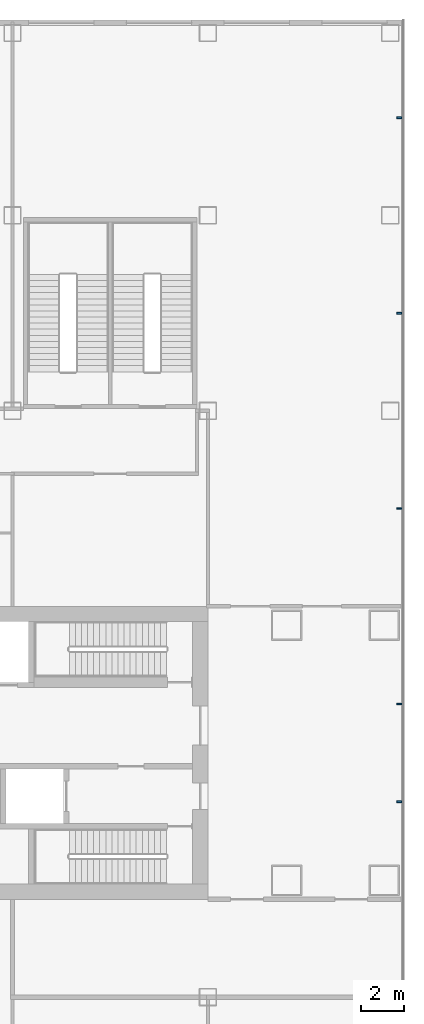
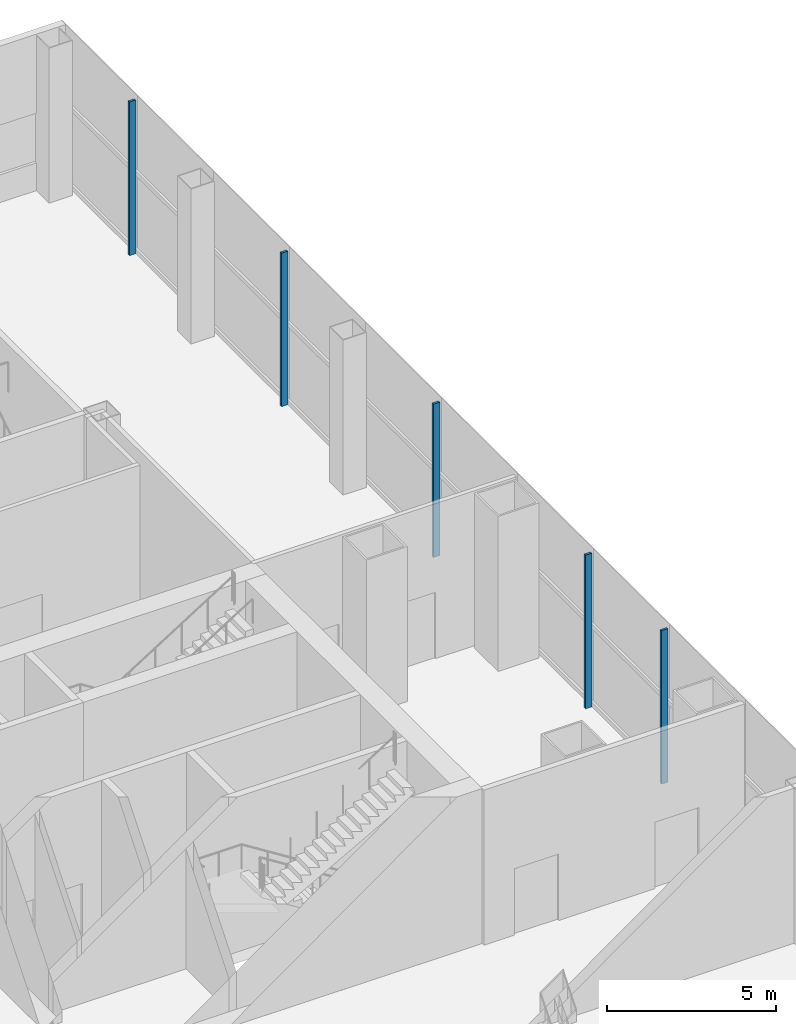
# One storey, part 15 of 33: 5 members, 1 element without a shape of its own.
"""IFC4 building model written with IfcOpenShell, lengths in metres."""

from ifc_helpers import new_model, si_unit, direction, frame, origin, origin_2d, place, context, subcontext, project, spatial, rectangle, extrude, material, layer, layer_set, material_profile, profile_set, type_object, element, aggregate, save


model = new_model("IFC4")

# Units and contexts
model_context = context("Model", 3, precision=1e-05, world=origin(), true_north=direction((0.0, 1.0)))
body_context = subcontext(model_context, "Body", "Model", "MODEL_VIEW")
ifc_project = project(units=[si_unit("LENGTHUNIT", "METRE"), si_unit("AREAUNIT", "SQUARE_METRE"), si_unit("VOLUMEUNIT", "CUBIC_METRE"), si_unit("PLANEANGLEUNIT", "RADIAN"), si_unit("MASSUNIT", "GRAM", prefix="KILO")], contexts=[model_context])

# Site, building, storey
site_placement = place(None, origin())
site = spatial("IfcSite", under=ifc_project, at=site_placement, CompositionType="ELEMENT")
building_placement = place(site_placement, origin())
building = spatial("IfcBuilding", under=site, at=building_placement, Name="Shamsa Quay Exchange Towers", CompositionType="ELEMENT")
storey_placement = place(building_placement, frame((0.0, 0.0, 6.5)))
storey = spatial("IfcBuildingStorey", under=building, at=storey_placement, Name="L01", CompositionType="ELEMENT", Elevation=6.5)

# Curtain wall, members
ifc_material = material(Name="Aluminium EN AW-6063 T6, black anodised", Category="aluminium")
ifc_layer = layer(ifc_material, 0.33203125)
ifc_layer_set = layer_set([ifc_layer], Name="CW-3 PODIUM SHOPFRONT GLAZING")
curtain_wall_type = type_object("IfcCurtainWallType", Name="CW-3 PODIUM SHOPFRONT GLAZING", PredefinedType="NOTDEFINED", material=ifc_layer_set)
curtain_wall_placement = place(storey_placement, origin())
curtain_wall = element("IfcCurtainWall", 1, at=curtain_wall_placement, inside=storey, type_object=curtain_wall_type, Name="CW3 PODIUM-L01-F00", PredefinedType="NOTDEFINED")
ifc_material_profile = material_profile(ifc_material, rectangle(XDim=0.219970703125, YDim=0.080078125, at=origin_2d()), Name="MU80x220")
ifc_profile_set = profile_set([ifc_material_profile], Name="Aluminium EN AW-6063 T6, black anodised")
member_type = type_object("IfcMemberType", Name="CW3 MULLION 80x220", PredefinedType="MULLION", material=ifc_profile_set)
member_1_placement = place(storey_placement, frame((62.81005859375, -2.25, 0.0), z_axis=(0.0, 0.0, 1.0), x_axis=(-1.0, 0.0, 0.0)))
member_1 = element("IfcMember", 2, at=member_1_placement, type_object=member_type, Name="CW3 mullion", PredefinedType="MULLION", context=body_context, shape_type="SweptSolid", body=[
    extrude(rectangle(XDim=0.219970703125, YDim=0.080078125, at=origin_2d()), origin(), (0.0, 0.0, 1.0), 5.550048828125),
])
member_2_placement = place(storey_placement, frame((62.81005859375, 2.25, 0.0), z_axis=(0.0, 0.0, 1.0), x_axis=(-1.0, 0.0, 0.0)))
member_2 = element("IfcMember", 3, at=member_2_placement, type_object=member_type, Name="CW3 mullion", PredefinedType="MULLION", context=body_context, shape_type="SweptSolid", body=[
    extrude(rectangle(XDim=0.219970703125, YDim=0.080078125, at=origin_2d()), origin(), (0.0, 0.0, 1.0), 5.550048828125),
])
member_3_placement = place(storey_placement, frame((62.81005859375, 11.25, 0.0), z_axis=(0.0, 0.0, 1.0), x_axis=(-1.0, 0.0, 0.0)))
member_3 = element("IfcMember", 4, at=member_3_placement, type_object=member_type, Name="CW3 mullion", PredefinedType="MULLION", context=body_context, shape_type="SweptSolid", body=[
    extrude(rectangle(XDim=0.219970703125, YDim=0.080078125, at=origin_2d()), origin(), (0.0, 0.0, 1.0), 5.550048828125),
])
member_4_placement = place(storey_placement, frame((62.81005859375, 20.25, 0.0), z_axis=(0.0, 0.0, 1.0), x_axis=(-1.0, 0.0, 0.0)))
member_4 = element("IfcMember", 5, at=member_4_placement, type_object=member_type, Name="CW3 mullion", PredefinedType="MULLION", context=body_context, shape_type="SweptSolid", body=[
    extrude(rectangle(XDim=0.219970703125, YDim=0.080078125, at=origin_2d()), origin(), (0.0, 0.0, 1.0), 5.550048828125),
])
member_5_placement = place(storey_placement, frame((62.81005859375, 29.25, 0.0), z_axis=(0.0, 0.0, 1.0), x_axis=(-1.0, 0.0, 0.0)))
member_5 = element("IfcMember", 6, at=member_5_placement, type_object=member_type, Name="CW3 mullion", PredefinedType="MULLION", context=body_context, shape_type="SweptSolid", body=[
    extrude(rectangle(XDim=0.219970703125, YDim=0.080078125, at=origin_2d()), origin(), (0.0, 0.0, 1.0), 5.550048828125),
])
aggregate(curtain_wall, [member_1, member_2, member_3, member_4, member_5])

save(model, "model.ifc")
